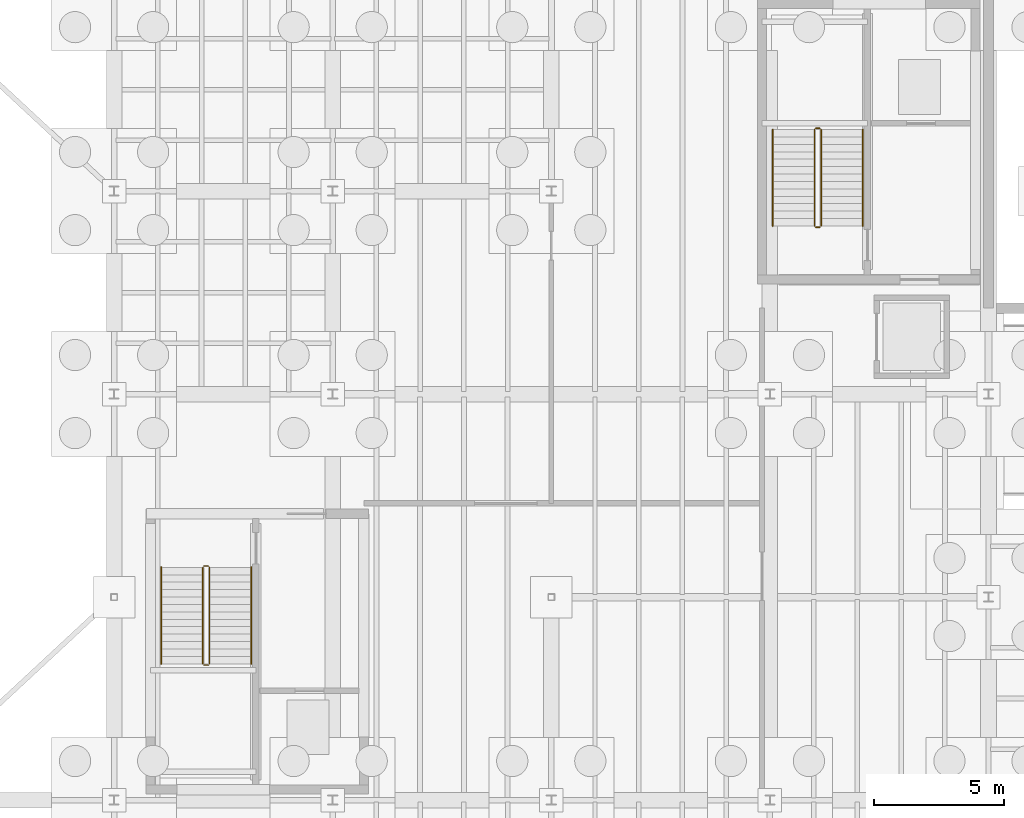
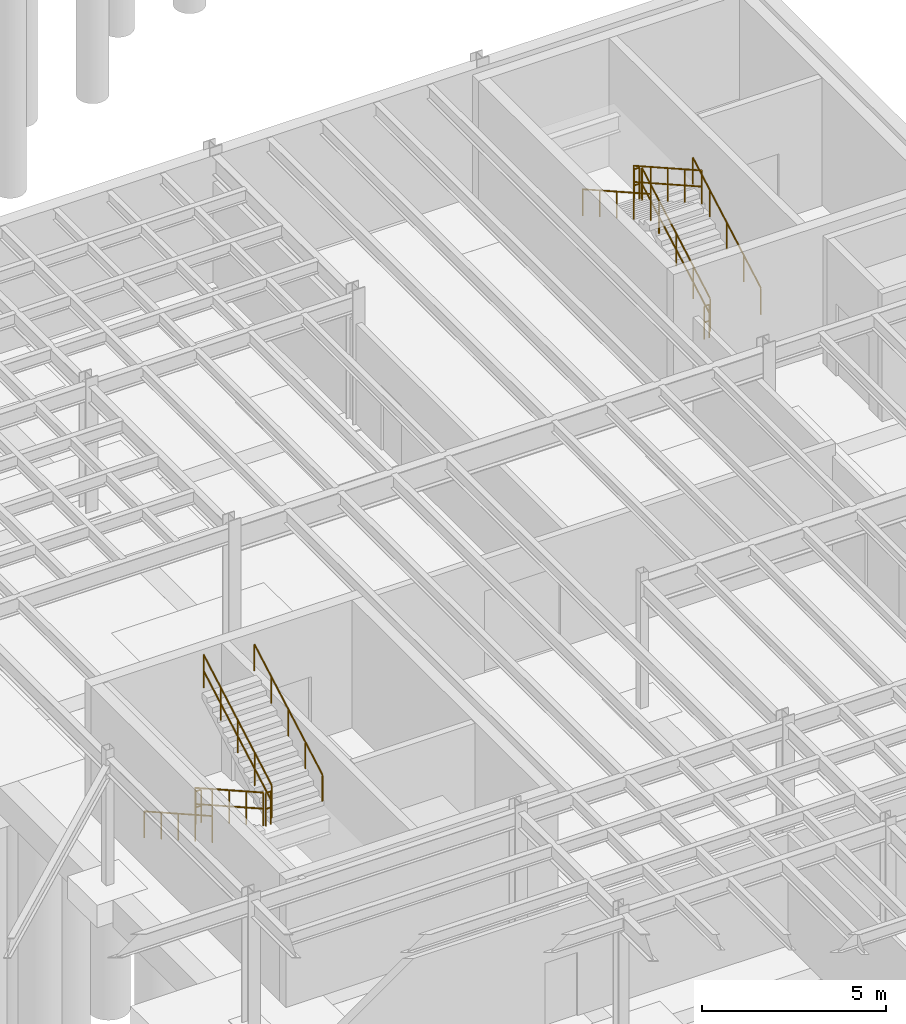
# One storey, part 38 of 41: 12 railings.
"""IFC4 building model written with IfcOpenShell, lengths in metres."""

from ifc_helpers import new_model, si_unit, direction, frame, origin, origin_2d, place, context, subcontext, project, spatial, circle, extrude, material, layer, layer_set, type_object, element, save


model = new_model("IFC4")

# Units and contexts
model_context = context("Model", 3, precision=1e-05, world=origin(), true_north=direction((0.0, 1.0)))
body_context = subcontext(model_context, "Body", "Model", "MODEL_VIEW")
ifc_project = project(units=[si_unit("LENGTHUNIT", "METRE"), si_unit("AREAUNIT", "SQUARE_METRE"), si_unit("VOLUMEUNIT", "CUBIC_METRE"), si_unit("PLANEANGLEUNIT", "RADIAN"), si_unit("MASSUNIT", "GRAM", prefix="KILO")], contexts=[model_context])

# Site, building, storey
site_placement = place(None, origin())
site = spatial("IfcSite", under=ifc_project, at=site_placement, CompositionType="ELEMENT")
building_placement = place(site_placement, origin())
building = spatial("IfcBuilding", under=site, at=building_placement, Name="Selat Folded Stagehouse", CompositionType="ELEMENT")
storey_placement = place(building_placement, frame((0.0, 0.0, -4.5)))
storey = spatial("IfcBuildingStorey", under=building, at=storey_placement, Name="B1", CompositionType="ELEMENT", Elevation=-4.5)

# Railings
ifc_material_1 = material(Name="Bronze-anodised steel balustrade", Category="steel")
ifc_layer_1 = layer(ifc_material_1, 0.06494140625)
ifc_layer_set_1 = layer_set([ifc_layer_1], Name="Bronze-anodised steel balustrade")
railing_type_1 = type_object("IfcRailingType", Name="RLG-BAL-1120", PredefinedType="BALUSTRADE", material=ifc_layer_set_1)
railing_1_placement = place(storey_placement, frame((37.010009765625, 32.340087890625, 0.16064453125)))
element("IfcRailing", 1, at=railing_1_placement, inside=storey, type_object=railing_type_1, Name="B1 ST-01 stair well guard 1", PredefinedType="BALUSTRADE", context=body_context, shape_type="SweptSolid", body=[
    extrude(circle(Radius=0.02392578125, at=origin_2d()), frame((0.0, 0.0, 1.09619140625), z_axis=(0.0, -0.871047735535, 0.491198373795), x_axis=(1.0, 0.0, 0.0)), (0.0, 0.0, 1.0), 4.253662109375),
    extrude(circle(Radius=0.02392578125, at=origin_2d()), frame((0.0, 0.0, 0.56005859375), z_axis=(0.0, -0.871047735535, 0.491198373795), x_axis=(1.0, 0.0, 0.0)), (0.0, 0.0, 1.0), 4.253662109375),
    extrude(circle(Radius=0.02099609375, at=origin_2d()), origin(), (0.0, 0.0, 1.0), 1.072021484375),
    extrude(circle(Radius=0.02099609375, at=origin_2d()), frame((0.0, -0.92626953125, 0.5224609375)), (0.0, 0.0, 1.0), 1.072021484375),
    extrude(circle(Radius=0.02099609375, at=origin_2d()), frame((0.0, -1.8525390625, 1.044677734375)), (0.0, 0.0, 1.0), 1.072021484375),
    extrude(circle(Radius=0.02099609375, at=origin_2d()), frame((0.0, -2.77880859375, 1.56689453125)), (0.0, 0.0, 1.0), 1.072021484375),
    extrude(circle(Radius=0.02099609375, at=origin_2d()), frame((0.0, -3.705078125, 2.08935546875)), (0.0, 0.0, 1.0), 1.072021484375),
])
railing_2_placement = place(storey_placement, frame((37.06005859375, 28.5849609375, 2.25)))
element("IfcRailing", 2, at=railing_2_placement, inside=storey, type_object=railing_type_1, Name="B1 ST-01 stair well guard 2", PredefinedType="BALUSTRADE", context=body_context, shape_type="SweptSolid", body=[
    extrude(circle(Radius=0.02392578125, at=origin_2d()), frame((0.0, 0.0, 1.09619140625), z_axis=(1.0, 0.0, 0.0), x_axis=(0.0, 1.0, 0.0)), (0.0, 0.0, 1.0), 0.159912109375),
    extrude(circle(Radius=0.02392578125, at=origin_2d()), frame((0.0, 0.0, 0.56005859375), z_axis=(1.0, 0.0, 0.0), x_axis=(0.0, 1.0, 0.0)), (0.0, 0.0, 1.0), 0.159912109375),
    extrude(circle(Radius=0.02099609375, at=origin_2d()), origin(), (0.0, 0.0, 1.0), 1.072021484375),
    extrude(circle(Radius=0.02099609375, at=origin_2d()), frame((0.159912109375, 0.0, 0.0)), (0.0, 0.0, 1.0), 1.072021484375),
])
railing_3_placement = place(storey_placement, frame((37.27001953125, 28.635009765625, 2.41064453125)))
element("IfcRailing", 3, at=railing_3_placement, inside=storey, type_object=railing_type_1, Name="B1 ST-01 stair well guard 3", PredefinedType="BALUSTRADE", context=body_context, shape_type="SweptSolid", body=[
    extrude(circle(Radius=0.02392578125, at=origin_2d()), frame((0.0, 0.0, 1.09619140625), z_axis=(0.0, 0.871047735535, 0.491198373795), x_axis=(-1.0, 0.0, 0.0)), (0.0, 0.0, 1.0), 4.253662109375),
    extrude(circle(Radius=0.02392578125, at=origin_2d()), frame((0.0, 0.0, 0.56005859375), z_axis=(0.0, 0.871047735535, 0.491198373795), x_axis=(-1.0, 0.0, 0.0)), (0.0, 0.0, 1.0), 4.253662109375),
    extrude(circle(Radius=0.02099609375, at=origin_2d()), origin(), (0.0, 0.0, 1.0), 1.072021484375),
    extrude(circle(Radius=0.02099609375, at=origin_2d()), frame((0.0, 0.92626953125, 0.5224609375)), (0.0, 0.0, 1.0), 1.072021484375),
    extrude(circle(Radius=0.02099609375, at=origin_2d()), frame((0.0, 1.8525390625, 1.044677734375)), (0.0, 0.0, 1.0), 1.072021484375),
    extrude(circle(Radius=0.02099609375, at=origin_2d()), frame((0.0, 2.77880859375, 1.56689453125)), (0.0, 0.0, 1.0), 1.072021484375),
    extrude(circle(Radius=0.02099609375, at=origin_2d()), frame((0.0, 3.705078125, 2.08935546875)), (0.0, 0.0, 1.0), 1.072021484375),
])
railing_4_placement = place(storey_placement, frame((37.06005859375, 32.389892578125, 0.0)))
element("IfcRailing", 4, at=railing_4_placement, inside=storey, type_object=railing_type_1, Name="B1 ST-01 stair well guard 4", PredefinedType="BALUSTRADE", context=body_context, shape_type="SweptSolid", body=[
    extrude(circle(Radius=0.02392578125, at=origin_2d()), frame((0.0, 0.0, 1.09619140625), z_axis=(1.0, 0.0, 0.0), x_axis=(0.0, 1.0, 0.0)), (0.0, 0.0, 1.0), 0.159912109375),
    extrude(circle(Radius=0.02392578125, at=origin_2d()), frame((0.0, 0.0, 0.56005859375), z_axis=(1.0, 0.0, 0.0), x_axis=(0.0, 1.0, 0.0)), (0.0, 0.0, 1.0), 0.159912109375),
    extrude(circle(Radius=0.02099609375, at=origin_2d()), origin(), (0.0, 0.0, 1.0), 1.072021484375),
    extrude(circle(Radius=0.02099609375, at=origin_2d()), frame((0.159912109375, 0.0, 0.0)), (0.0, 0.0, 1.0), 1.072021484375),
])
railing_5_placement = place(storey_placement, frame((60.77001953125, 45.4599609375, 0.16064453125)))
element("IfcRailing", 5, at=railing_5_placement, inside=storey, type_object=railing_type_1, Name="B1 ST-02 stair well guard 1", PredefinedType="BALUSTRADE", context=body_context, shape_type="SweptSolid", body=[
    extrude(circle(Radius=0.02392578125, at=origin_2d()), frame((0.0, 0.0, 1.09619140625), z_axis=(0.0, 0.871047735535, 0.491198373795), x_axis=(-1.0, 0.0, 0.0)), (0.0, 0.0, 1.0), 4.253662109375),
    extrude(circle(Radius=0.02392578125, at=origin_2d()), frame((0.0, 0.0, 0.56005859375), z_axis=(0.0, 0.871047735535, 0.491198373795), x_axis=(-1.0, 0.0, 0.0)), (0.0, 0.0, 1.0), 4.253662109375),
    extrude(circle(Radius=0.02099609375, at=origin_2d()), origin(), (0.0, 0.0, 1.0), 1.072021484375),
    extrude(circle(Radius=0.02099609375, at=origin_2d()), frame((0.0, 0.92626953125, 0.5224609375)), (0.0, 0.0, 1.0), 1.072021484375),
    extrude(circle(Radius=0.02099609375, at=origin_2d()), frame((0.0, 1.8525390625, 1.044677734375)), (0.0, 0.0, 1.0), 1.072021484375),
    extrude(circle(Radius=0.02099609375, at=origin_2d()), frame((0.0, 2.77880859375, 1.56689453125)), (0.0, 0.0, 1.0), 1.072021484375),
    extrude(circle(Radius=0.02099609375, at=origin_2d()), frame((0.0, 3.705078125, 2.08935546875)), (0.0, 0.0, 1.0), 1.072021484375),
])
railing_6_placement = place(storey_placement, frame((60.719970703125, 49.215087890625, 2.25)))
element("IfcRailing", 6, at=railing_6_placement, inside=storey, type_object=railing_type_1, Name="B1 ST-02 stair well guard 2", PredefinedType="BALUSTRADE", context=body_context, shape_type="SweptSolid", body=[
    extrude(circle(Radius=0.02392578125, at=origin_2d()), frame((0.0, 0.0, 1.09619140625), z_axis=(-1.0, 0.0, 0.0), x_axis=(0.0, -1.0, 0.0)), (0.0, 0.0, 1.0), 0.159912109375),
    extrude(circle(Radius=0.02392578125, at=origin_2d()), frame((0.0, 0.0, 0.56005859375), z_axis=(-1.0, 0.0, 0.0), x_axis=(0.0, -1.0, 0.0)), (0.0, 0.0, 1.0), 0.159912109375),
    extrude(circle(Radius=0.02099609375, at=origin_2d()), origin(), (0.0, 0.0, 1.0), 1.072021484375),
    extrude(circle(Radius=0.02099609375, at=origin_2d()), frame((-0.159912109375, 0.0, 0.0)), (0.0, 0.0, 1.0), 1.072021484375),
])
railing_7_placement = place(storey_placement, frame((60.510009765625, 49.1650390625, 2.41064453125)))
element("IfcRailing", 7, at=railing_7_placement, inside=storey, type_object=railing_type_1, Name="B1 ST-02 stair well guard 3", PredefinedType="BALUSTRADE", context=body_context, shape_type="SweptSolid", body=[
    extrude(circle(Radius=0.02392578125, at=origin_2d()), frame((0.0, 0.0, 1.09619140625), z_axis=(0.0, -0.871047735535, 0.491198373795), x_axis=(1.0, 0.0, 0.0)), (0.0, 0.0, 1.0), 4.253662109375),
    extrude(circle(Radius=0.02392578125, at=origin_2d()), frame((0.0, 0.0, 0.56005859375), z_axis=(0.0, -0.871047735535, 0.491198373795), x_axis=(1.0, 0.0, 0.0)), (0.0, 0.0, 1.0), 4.253662109375),
    extrude(circle(Radius=0.02099609375, at=origin_2d()), origin(), (0.0, 0.0, 1.0), 1.072021484375),
    extrude(circle(Radius=0.02099609375, at=origin_2d()), frame((0.0, -0.92626953125, 0.5224609375)), (0.0, 0.0, 1.0), 1.072021484375),
    extrude(circle(Radius=0.02099609375, at=origin_2d()), frame((0.0, -1.8525390625, 1.044677734375)), (0.0, 0.0, 1.0), 1.072021484375),
    extrude(circle(Radius=0.02099609375, at=origin_2d()), frame((0.0, -2.77880859375, 1.56689453125)), (0.0, 0.0, 1.0), 1.072021484375),
    extrude(circle(Radius=0.02099609375, at=origin_2d()), frame((0.0, -3.705078125, 2.08935546875)), (0.0, 0.0, 1.0), 1.072021484375),
])
railing_8_placement = place(storey_placement, frame((60.719970703125, 45.409912109375, 0.0)))
element("IfcRailing", 8, at=railing_8_placement, inside=storey, type_object=railing_type_1, Name="B1 ST-02 stair well guard 4", PredefinedType="BALUSTRADE", context=body_context, shape_type="SweptSolid", body=[
    extrude(circle(Radius=0.02392578125, at=origin_2d()), frame((0.0, 0.0, 1.09619140625), z_axis=(-1.0, 0.0, 0.0), x_axis=(0.0, -1.0, 0.0)), (0.0, 0.0, 1.0), 0.159912109375),
    extrude(circle(Radius=0.02392578125, at=origin_2d()), frame((0.0, 0.0, 0.56005859375), z_axis=(-1.0, 0.0, 0.0), x_axis=(0.0, -1.0, 0.0)), (0.0, 0.0, 1.0), 0.159912109375),
    extrude(circle(Radius=0.02099609375, at=origin_2d()), origin(), (0.0, 0.0, 1.0), 1.072021484375),
    extrude(circle(Radius=0.02099609375, at=origin_2d()), frame((-0.159912109375, 0.0, 0.0)), (0.0, 0.0, 1.0), 1.072021484375),
])
ifc_material_2 = material(Name="Brushed stainless steel 1.4301", Category="steel")
ifc_layer_2 = layer(ifc_material_2, 0.048095703125)
ifc_layer_set_2 = layer_set([ifc_layer_2], Name="Brushed stainless steel 1.4301")
railing_type_2 = type_object("IfcRailingType", Name="RLG-HANDRAIL-900", PredefinedType="HANDRAIL", material=ifc_layer_set_2)
railing_9_placement = place(storey_placement, frame((35.409912109375, 32.340087890625, 0.16064453125)))
element("IfcRailing", 9, at=railing_9_placement, inside=storey, type_object=railing_type_2, Name="B1 ST-01 wall handrail 1", PredefinedType="HANDRAIL", context=body_context, shape_type="SweptSolid", body=[
    extrude(circle(Radius=0.02392578125, at=origin_2d()), frame((0.0, 0.0, 0.8759765625), z_axis=(0.0, -0.871047735535, 0.491198373795), x_axis=(1.0, 0.0, 0.0)), (0.0, 0.0, 1.0), 4.253662109375),
    extrude(circle(Radius=0.02099609375, at=origin_2d()), origin(), (0.0, 0.0, 1.0), 0.851806640625),
    extrude(circle(Radius=0.02099609375, at=origin_2d()), frame((0.0, -0.92626953125, 0.5224609375)), (0.0, 0.0, 1.0), 0.851806640625),
    extrude(circle(Radius=0.02099609375, at=origin_2d()), frame((0.0, -1.8525390625, 1.044677734375)), (0.0, 0.0, 1.0), 0.851806640625),
    extrude(circle(Radius=0.02099609375, at=origin_2d()), frame((0.0, -2.77880859375, 1.56689453125)), (0.0, 0.0, 1.0), 0.851806640625),
    extrude(circle(Radius=0.02099609375, at=origin_2d()), frame((0.0, -3.705078125, 2.08935546875)), (0.0, 0.0, 1.0), 0.851806640625),
])
for number, where, name in (
    (10, (38.8701171875, 28.635009765625, 2.41064453125), "B1 ST-01 wall handrail 2"),
    (11, (62.3701171875, 45.4599609375, 0.16064453125), "B1 ST-02 wall handrail 1"),
):
    element("IfcRailing", number, at=place(storey_placement, frame(where)), inside=storey, type_object=railing_type_2, Name=name, PredefinedType="HANDRAIL", context=body_context, shape_type="SweptSolid", body=[
        extrude(circle(Radius=0.02392578125, at=origin_2d()), frame((0.0, 0.0, 0.8759765625), z_axis=(0.0, 0.871047735535, 0.491198373795), x_axis=(-1.0, 0.0, 0.0)), (0.0, 0.0, 1.0), 4.253662109375),
        extrude(circle(Radius=0.02099609375, at=origin_2d()), origin(), (0.0, 0.0, 1.0), 0.851806640625),
        extrude(circle(Radius=0.02099609375, at=origin_2d()), frame((0.0, 0.92626953125, 0.5224609375)), (0.0, 0.0, 1.0), 0.851806640625),
        extrude(circle(Radius=0.02099609375, at=origin_2d()), frame((0.0, 1.8525390625, 1.044677734375)), (0.0, 0.0, 1.0), 0.851806640625),
        extrude(circle(Radius=0.02099609375, at=origin_2d()), frame((0.0, 2.77880859375, 1.56689453125)), (0.0, 0.0, 1.0), 0.851806640625),
        extrude(circle(Radius=0.02099609375, at=origin_2d()), frame((0.0, 3.705078125, 2.08935546875)), (0.0, 0.0, 1.0), 0.851806640625),
    ])
railing_10_placement = place(storey_placement, frame((58.909912109375, 49.1650390625, 2.41064453125)))
element("IfcRailing", 12, at=railing_10_placement, inside=storey, type_object=railing_type_2, Name="B1 ST-02 wall handrail 2", PredefinedType="HANDRAIL", context=body_context, shape_type="SweptSolid", body=[
    extrude(circle(Radius=0.02392578125, at=origin_2d()), frame((0.0, 0.0, 0.8759765625), z_axis=(0.0, -0.871047735535, 0.491198373795), x_axis=(1.0, 0.0, 0.0)), (0.0, 0.0, 1.0), 4.253662109375),
    extrude(circle(Radius=0.02099609375, at=origin_2d()), origin(), (0.0, 0.0, 1.0), 0.851806640625),
    extrude(circle(Radius=0.02099609375, at=origin_2d()), frame((0.0, -0.92626953125, 0.5224609375)), (0.0, 0.0, 1.0), 0.851806640625),
    extrude(circle(Radius=0.02099609375, at=origin_2d()), frame((0.0, -1.8525390625, 1.044677734375)), (0.0, 0.0, 1.0), 0.851806640625),
    extrude(circle(Radius=0.02099609375, at=origin_2d()), frame((0.0, -2.77880859375, 1.56689453125)), (0.0, 0.0, 1.0), 0.851806640625),
    extrude(circle(Radius=0.02099609375, at=origin_2d()), frame((0.0, -3.705078125, 2.08935546875)), (0.0, 0.0, 1.0), 0.851806640625),
])

save(model, "model.ifc")
